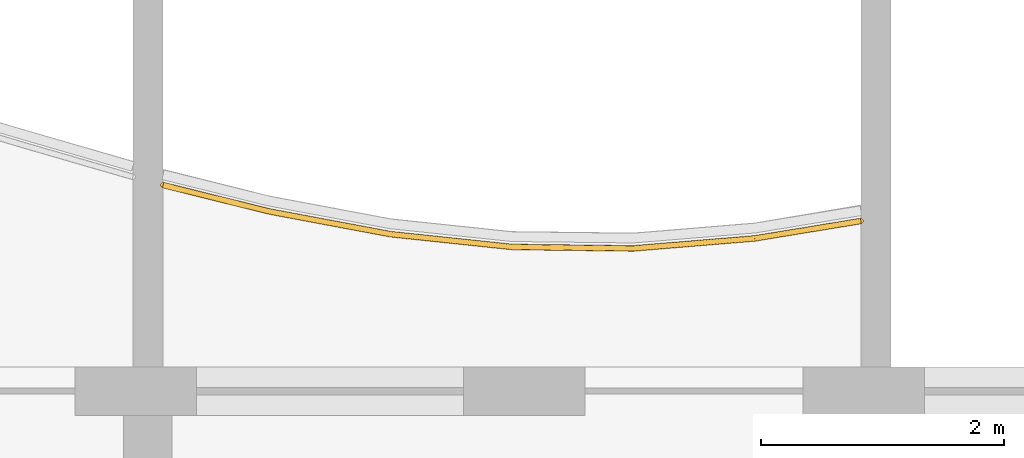
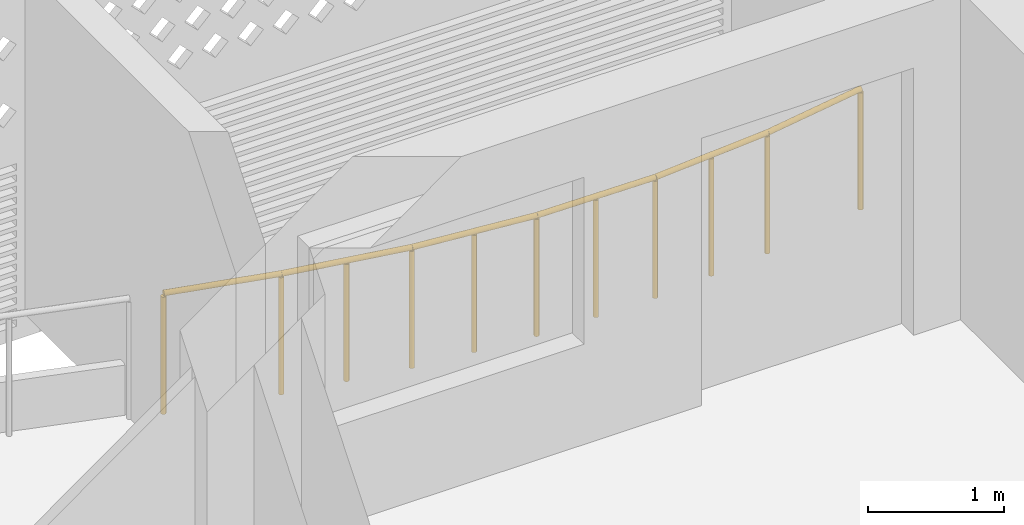
# One storey, part 23 of 39: 1 railing.
"""IFC4 building model written with IfcOpenShell, lengths in metres."""

from ifc_helpers import new_model, si_unit, direction, frame, origin, origin_2d, place, context, subcontext, project, spatial, circle, extrude, material, type_object, element, save


model = new_model("IFC4")

# Units and contexts
model_context = context("Model", 3, precision=1e-05, world=origin(), true_north=direction((0.0, 1.0)))
body_context = subcontext(model_context, "Body", "Model", "MODEL_VIEW")
ifc_project = project(units=[si_unit("LENGTHUNIT", "METRE"), si_unit("AREAUNIT", "SQUARE_METRE"), si_unit("VOLUMEUNIT", "CUBIC_METRE"), si_unit("PLANEANGLEUNIT", "RADIAN"), si_unit("MASSUNIT", "GRAM", prefix="KILO")], contexts=[model_context])

# Site, building, storey
site_placement = place(None, origin())
site = spatial("IfcSite", under=ifc_project, at=site_placement, CompositionType="ELEMENT")
building_placement = place(site_placement, origin())
building = spatial("IfcBuilding", under=site, at=building_placement, Name="Poui Terraces", CompositionType="ELEMENT")
storey_placement = place(building_placement, frame((0.0, 0.0, 63.0)))
storey = spatial("IfcBuildingStorey", under=building, at=storey_placement, Name="L17", CompositionType="ELEMENT", Elevation=63.0)

# Railing
ifc_material = material(Name="Painted steel fretwork", Category="steel")
railing_type = type_object("IfcRailingType", Name="BALCONY GUARD 1100", PredefinedType="GUARDRAIL", material=ifc_material)
railing_placement = place(storey_placement, frame((24.125, 46.49853515625, 0.0)))
element("IfcRailing", 1, at=railing_placement, inside=storey, type_object=railing_type, Name="BALCONY GUARD", PredefinedType="GUARDRAIL", context=body_context, shape_type="SweptSolid", body=[
    extrude(circle(Radius=0.02392578125, at=origin_2d()), frame((0.0, 0.0, 1.076171875), z_axis=(0.970586901308, -0.240751047785, 0.0), x_axis=(0.240751047785, 0.970586901308, 0.0)), (0.0, 0.0, 1.0), 0.901611328125),
    extrude(circle(Radius=0.02392578125, at=origin_2d()), frame((0.875, -0.217041015625, 1.076171875), z_axis=(0.982872186934, -0.18428853505, 0.0), x_axis=(0.18428853505, 0.982872186934, 0.0)), (0.0, 0.0, 1.0), 1.017333984375),
    extrude(circle(Radius=0.02392578125, at=origin_2d()), frame((1.875, -0.404541015625, 1.076171875), z_axis=(0.994509443434, -0.104646867705, 0.0), x_axis=(0.104646867705, 0.994509443434, 0.0)), (0.0, 0.0, 1.0), 1.005615234375),
    extrude(circle(Radius=0.02392578125, at=origin_2d()), frame((2.875, -0.509765625, 1.076171875), z_axis=(0.999928452303, -0.011962034708, 0.0), x_axis=(0.011962034708, 0.999928452303, 0.0)), (0.0, 0.0, 1.0), 1.0),
    extrude(circle(Radius=0.02392578125, at=origin_2d()), frame((3.875, -0.521728515625, 1.076171875), z_axis=(0.99661255374, 0.082240000773, 0.0), x_axis=(-0.082240000773, 0.99661255374, 0.0)), (0.0, 0.0, 1.0), 1.00341796875),
    extrude(circle(Radius=0.02392578125, at=origin_2d()), frame((4.875, -0.439208984375, 1.076171875), z_axis=(0.986851434927, 0.16162996437, 0.0), x_axis=(-0.16162996437, 0.986851434927, 0.0)), (0.0, 0.0, 1.0), 0.88671875),
    extrude(circle(Radius=0.02099609375, at=origin_2d()), origin(), (0.0, 0.0, 1.0), 1.052001953125),
    extrude(circle(Radius=0.02099609375, at=origin_2d()), frame((0.875, -0.217041015625, 0.0)), (0.0, 0.0, 1.0), 1.052001953125),
    extrude(circle(Radius=0.02099609375, at=origin_2d()), frame((1.375, -0.310791015625, 0.0)), (0.0, 0.0, 1.0), 1.052001953125),
    extrude(circle(Radius=0.02099609375, at=origin_2d()), frame((1.875, -0.404541015625, 0.0)), (0.0, 0.0, 1.0), 1.052001953125),
    extrude(circle(Radius=0.02099609375, at=origin_2d()), frame((2.375, -0.45703125, 0.0)), (0.0, 0.0, 1.0), 1.052001953125),
    extrude(circle(Radius=0.02099609375, at=origin_2d()), frame((2.875, -0.509765625, 0.0)), (0.0, 0.0, 1.0), 1.052001953125),
    extrude(circle(Radius=0.02099609375, at=origin_2d()), frame((3.375, -0.515625, 0.0)), (0.0, 0.0, 1.0), 1.052001953125),
    extrude(circle(Radius=0.02099609375, at=origin_2d()), frame((3.875, -0.521728515625, 0.0)), (0.0, 0.0, 1.0), 1.052001953125),
    extrude(circle(Radius=0.02099609375, at=origin_2d()), frame((4.375, -0.48046875, 0.0)), (0.0, 0.0, 1.0), 1.052001953125),
    extrude(circle(Radius=0.02099609375, at=origin_2d()), frame((4.875, -0.439208984375, 0.0)), (0.0, 0.0, 1.0), 1.052001953125),
    extrude(circle(Radius=0.02099609375, at=origin_2d()), frame((5.75, -0.2958984375, 0.0)), (0.0, 0.0, 1.0), 1.052001953125),
])

save(model, "model.ifc")
